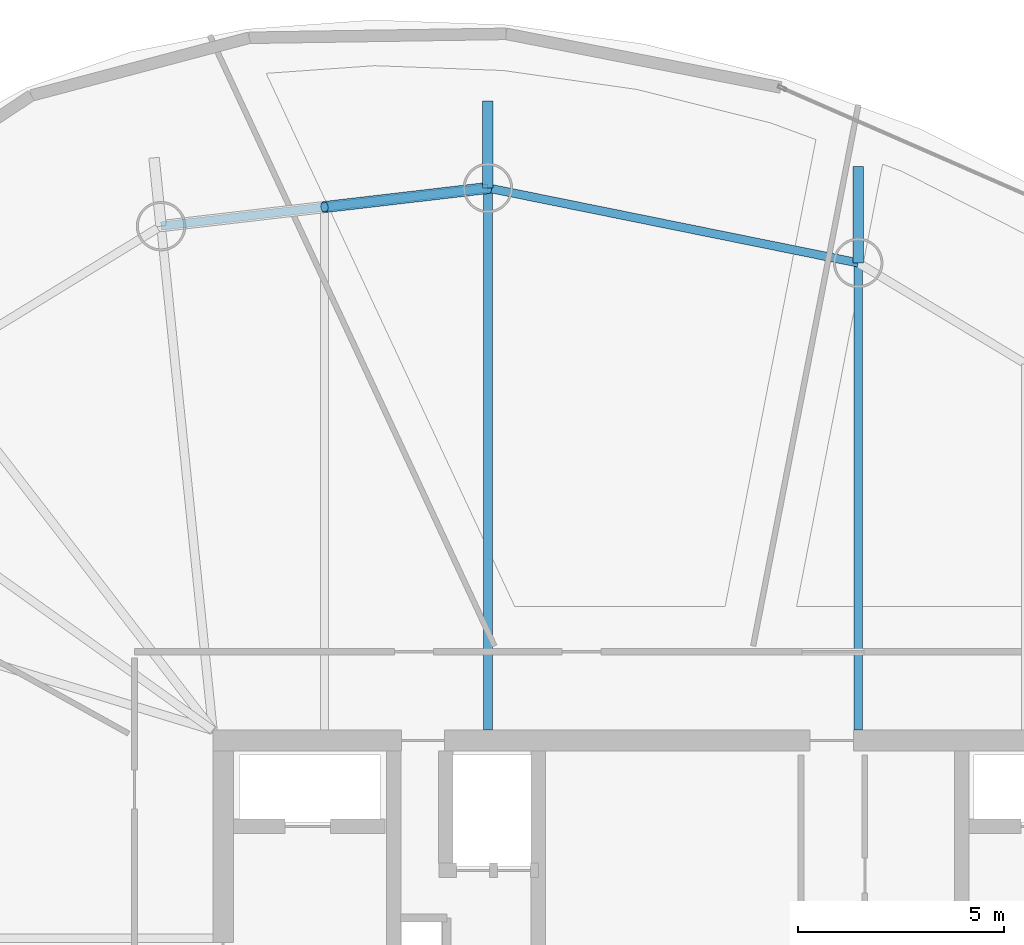
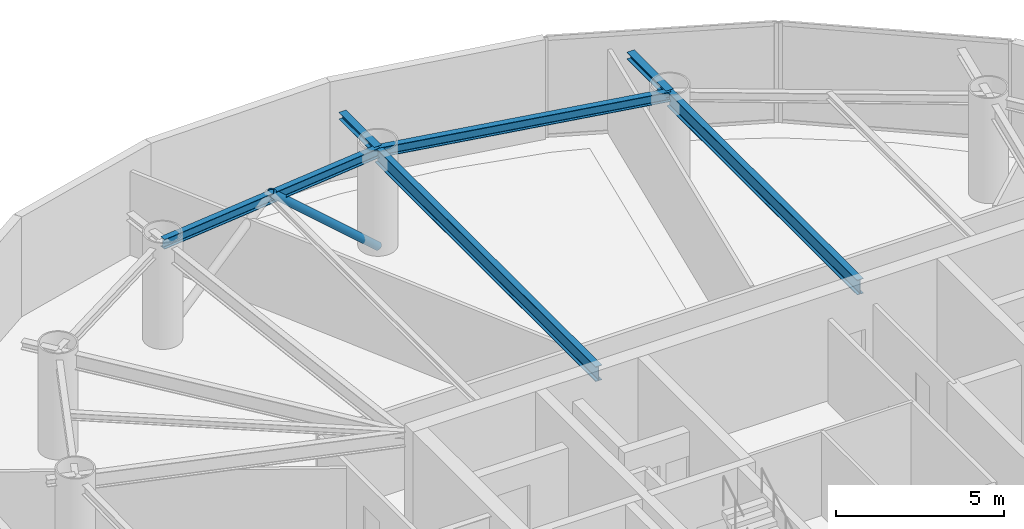
# One storey, part 11 of 22: 6 beams, 1 member.
"""IFC4 building model written with IfcOpenShell, lengths in metres."""

from ifc_helpers import new_model, si_unit, direction, frame, origin, origin_2d, place, context, subcontext, project, spatial, hollow_circle, i_section, extrude, material, material_profile, profile_set, type_object, element, save


model = new_model("IFC4")

# Units and contexts
model_context = context("Model", 3, precision=1e-05, world=origin(), true_north=direction((0.0, 1.0)))
body_context = subcontext(model_context, "Body", "Model", "MODEL_VIEW")
ifc_project = project(units=[si_unit("LENGTHUNIT", "METRE"), si_unit("AREAUNIT", "SQUARE_METRE"), si_unit("VOLUMEUNIT", "CUBIC_METRE"), si_unit("PLANEANGLEUNIT", "RADIAN"), si_unit("MASSUNIT", "GRAM", prefix="KILO")], contexts=[model_context])

# Site, building, storey
site_placement = place(None, origin())
site = spatial("IfcSite", under=ifc_project, at=site_placement, CompositionType="ELEMENT")
building_placement = place(site_placement, origin())
building = spatial("IfcBuilding", under=site, at=building_placement, Name="Bramvorn Convention Spire", CompositionType="ELEMENT")
storey_placement = place(building_placement, frame((0.0, 0.0, 213.550048828125)))
storey = spatial("IfcBuildingStorey", under=building, at=storey_placement, Name="L54", CompositionType="ELEMENT", Elevation=213.550048828125)

# Beams
ifc_material = material(Name="Steel CSA G40.21 Grade 350 (350W)", Category="steel")
ifc_material_profile_1 = material_profile(ifc_material, i_section(OverallWidth=0.25390625, OverallDepth=0.2529296875, WebThickness=0.008544921875, FlangeThickness=0.01416015625, FilletRadius=0.011962890625, at=origin_2d()))
ifc_profile_set_1 = profile_set([ifc_material_profile_1], Name="Steel CSA G40.21 Grade 350 (350W) - W250X73")
beam_type_1 = type_object("IfcBeamType", Name="BM-W250X73", PredefinedType="BEAM", material=ifc_profile_set_1)
beam_1_placement = place(storey_placement, frame((42.38916015625, 44.772216796875, 3.493408203125), z_axis=(0.0, 1.0, 0.0), x_axis=(-1.0, 0.0, 0.0)))
element("IfcBeam", 1, at=beam_1_placement, inside=storey, type_object=beam_type_1, Name="L54 slab-edge cantilever tip beam MC06", PredefinedType="BEAM", context=body_context, shape_type="SweptSolid", body=[
    extrude(i_section(OverallWidth=0.25390625, OverallDepth=0.2529296875, WebThickness=0.008544921875, FlangeThickness=0.01416015625, FilletRadius=0.011962890625, at=origin_2d()), origin(), (0.0, 0.0, 1.0), 2.336181640625),
])
beam_2_placement = place(storey_placement, frame((33.416259765625, 46.58837890625, 3.493408203125), z_axis=(0.0, 1.0, 0.0), x_axis=(-1.0, 0.0, 0.0)))
element("IfcBeam", 2, at=beam_2_placement, inside=storey, type_object=beam_type_1, Name="L54 slab-edge cantilever tip beam MC07", PredefinedType="BEAM", context=body_context, shape_type="SweptSolid", body=[
    extrude(i_section(OverallWidth=0.25390625, OverallDepth=0.2529296875, WebThickness=0.008544921875, FlangeThickness=0.01416015625, FilletRadius=0.011962890625, at=origin_2d()), origin(), (0.0, 0.0, 1.0), 2.10205078125),
])
ifc_material_profile_2 = material_profile(ifc_material, i_section(OverallWidth=0.205078125, OverallDepth=0.35400390625, WebThickness=0.009521484375, FlangeThickness=0.016845703125, FilletRadius=0.014892578125, at=origin_2d()))
ifc_profile_set_2 = profile_set([ifc_material_profile_2], Name="Steel CSA G40.21 Grade 350 (350W) - W360X79")
beam_type_2 = type_object("IfcBeamType", Name="BM-W360X79", PredefinedType="JOIST", material=ifc_profile_set_2)
beam_3_placement = place(storey_placement, frame((42.38916015625, 44.772216796875, 3.44287109375), z_axis=(-0.980124701676, 0.198382381187, 0.0), x_axis=(-0.198382381187, -0.980124701676, 0.0)))
element("IfcBeam", 3, at=beam_3_placement, inside=storey, type_object=beam_type_2, Name="L54 mega-column ring beam 06", PredefinedType="JOIST", context=body_context, shape_type="SweptSolid", body=[
    extrude(i_section(OverallWidth=0.205078125, OverallDepth=0.35400390625, WebThickness=0.009521484375, FlangeThickness=0.016845703125, FilletRadius=0.014892578125, at=origin_2d()), origin(), (0.0, 0.0, 1.0), 9.15478515625),
])
beam_4_placement = place(storey_placement, frame((33.416259765625, 46.58837890625, 3.44287109375), z_axis=(-0.993256148339, -0.115940604561, 0.0), x_axis=(0.115940604561, -0.993256148339, 0.0)))
element("IfcBeam", 4, at=beam_4_placement, inside=storey, type_object=beam_type_2, Name="L54 mega-column ring beam 07", PredefinedType="JOIST", context=body_context, shape_type="SweptSolid", body=[
    extrude(i_section(OverallWidth=0.205078125, OverallDepth=0.35400390625, WebThickness=0.009521484375, FlangeThickness=0.016845703125, FilletRadius=0.014892578125, at=origin_2d()), origin(), (0.0, 0.0, 1.0), 7.974365234375),
])
ifc_material_profile_3 = material_profile(ifc_material, i_section(OverallWidth=0.2119140625, OverallDepth=0.5439453125, WebThickness=0.01318359375, FlangeThickness=0.021240234375, FilletRadius=0.01904296875, at=origin_2d()))
ifc_profile_set_3 = profile_set([ifc_material_profile_3], Name="Steel CSA G40.21 Grade 350 (350W) - W530X123")
beam_type_3 = type_object("IfcBeamType", Name="BM-W530X123", PredefinedType="BEAM", material=ifc_profile_set_3)
beam_5_placement = place(storey_placement, frame((42.38916015625, 33.449951171875, 3.347900390625), z_axis=(0.0, 1.0, 0.0), x_axis=(-1.0, 0.0, 0.0)))
element("IfcBeam", 5, at=beam_5_placement, inside=storey, type_object=beam_type_3, Name="L54 radial floor girder MC06", PredefinedType="BEAM", context=body_context, shape_type="SweptSolid", body=[
    extrude(i_section(OverallWidth=0.2119140625, OverallDepth=0.5439453125, WebThickness=0.01318359375, FlangeThickness=0.021240234375, FilletRadius=0.01904296875, at=origin_2d()), origin(), (0.0, 0.0, 1.0), 11.322265625),
])
beam_6_placement = place(storey_placement, frame((33.416259765625, 33.449951171875, 3.347900390625), z_axis=(0.0, 1.0, 0.0), x_axis=(-1.0, 0.0, 0.0)))
element("IfcBeam", 6, at=beam_6_placement, inside=storey, type_object=beam_type_3, Name="L54 radial floor girder MC07", PredefinedType="BEAM", context=body_context, shape_type="SweptSolid", body=[
    extrude(i_section(OverallWidth=0.2119140625, OverallDepth=0.5439453125, WebThickness=0.01318359375, FlangeThickness=0.021240234375, FilletRadius=0.01904296875, at=origin_2d()), origin(), (0.0, 0.0, 1.0), 13.138427734375),
])

# Member
ifc_material_profile_4 = material_profile(ifc_material, hollow_circle(Radius=0.136474609375, WallThickness=0.0126953125, at=origin_2d()))
ifc_profile_set_4 = profile_set([ifc_material_profile_4], Name="Steel CSA G40.21 Grade 350 (350W) - CHS273X13")
member_type = type_object("IfcMemberType", Name="MBR-CHS273X13", PredefinedType="BRACE", material=ifc_profile_set_4)
member_placement = place(storey_placement, frame((33.416259765625, 46.58837890625, 0.0), z_axis=(-0.73540583203, -0.085862325599, 0.672165101191), x_axis=(0.115967281863, -0.993253033993, 0.0)))
element("IfcMember", 7, at=member_placement, inside=storey, type_object=member_type, Name="L54 perimeter Gothic lancet brace 7A", PredefinedType="BRACE", context=body_context, shape_type="SweptSolid", body=[
    extrude(hollow_circle(Radius=0.136474609375, WallThickness=0.0126953125, at=origin_2d()), origin(), (0.0, 0.0, 1.0), 5.385498046875),
])

save(model, "model.ifc")
